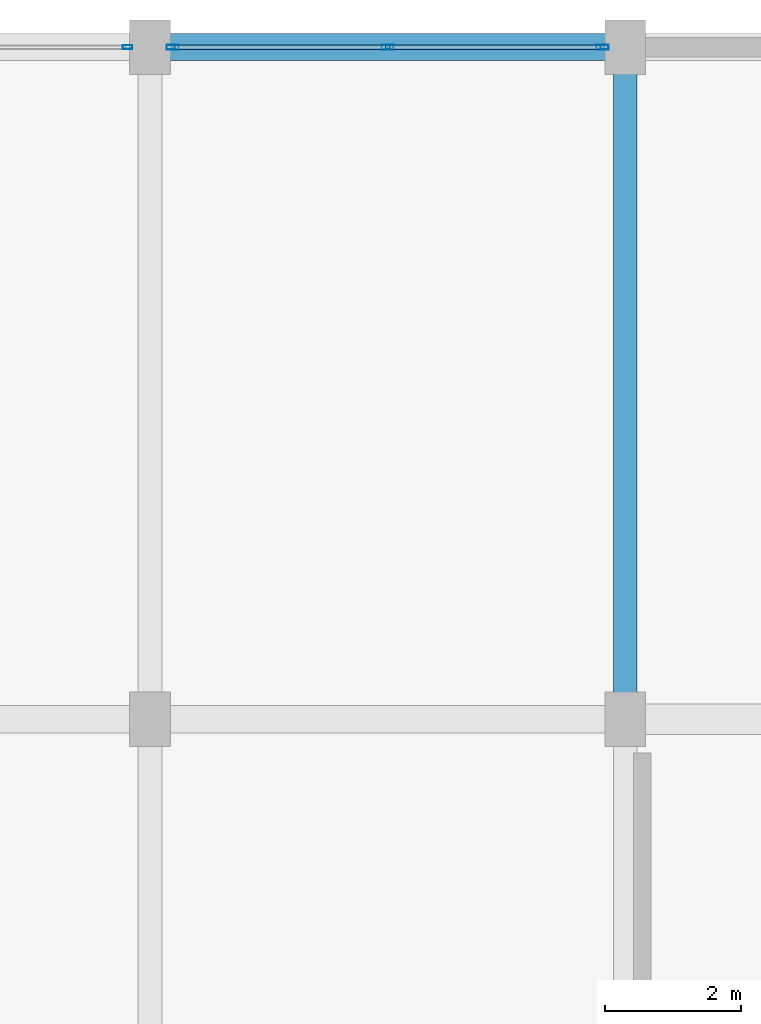
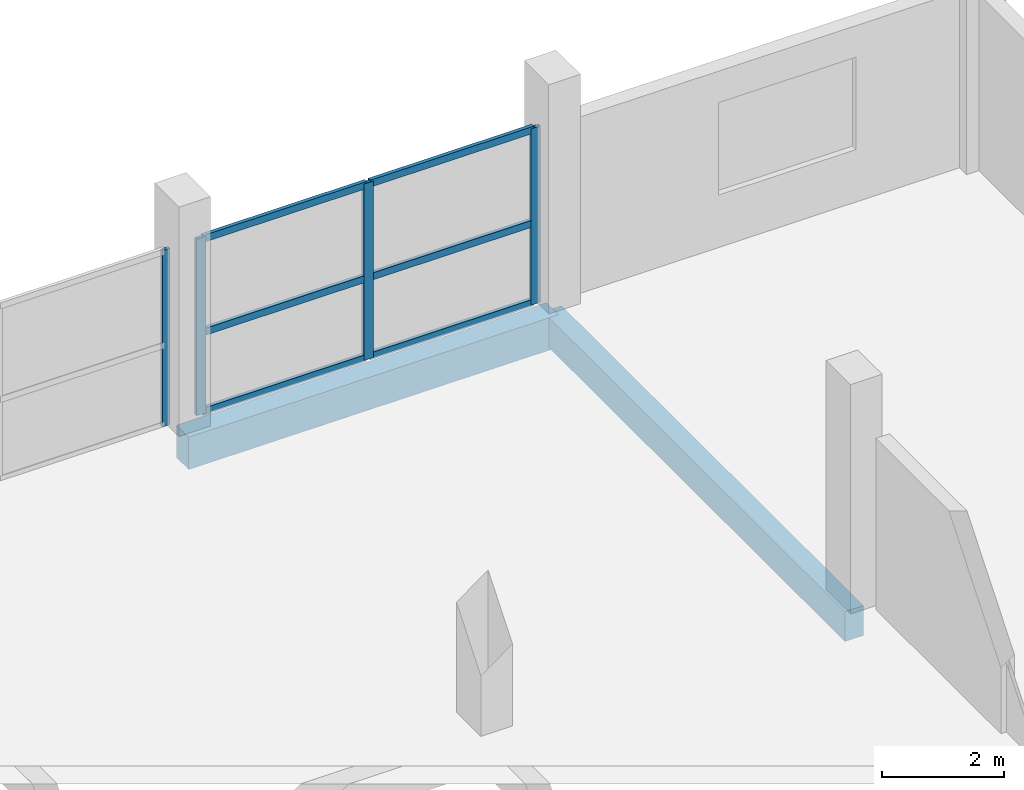
# One storey, part 33 of 55: 10 members, 2 beams, 2 elements without a shape of their own.
"""IFC4 building model written with IfcOpenShell, lengths in metres."""

from ifc_helpers import new_model, si_unit, direction, frame, origin, origin_2d, place, context, subcontext, project, spatial, rectangle, hollow_rectangle, extrude, material, layer, layer_set, material_profile, profile_set, type_object, element, aggregate, save


model = new_model("IFC4")

# Units and contexts
model_context = context("Model", 3, precision=1e-05, world=origin(), true_north=direction((0.0, 1.0)))
body_context = subcontext(model_context, "Body", "Model", "MODEL_VIEW")
ifc_project = project(units=[si_unit("LENGTHUNIT", "METRE"), si_unit("AREAUNIT", "SQUARE_METRE"), si_unit("VOLUMEUNIT", "CUBIC_METRE"), si_unit("PLANEANGLEUNIT", "RADIAN"), si_unit("MASSUNIT", "GRAM", prefix="KILO")], contexts=[model_context])

# Site, building, storey
site_placement = place(None, origin())
site = spatial("IfcSite", under=ifc_project, at=site_placement, CompositionType="ELEMENT")
building_placement = place(site_placement, origin())
building = spatial("IfcBuilding", under=site, at=building_placement, Name="Sillaruma Civic Art Gallery", CompositionType="ELEMENT")
storey_placement = place(building_placement, frame((0.0, 0.0, 37.739990234375)))
storey = spatial("IfcBuildingStorey", under=building, at=storey_placement, Name="L07", CompositionType="ELEMENT", Elevation=37.739990234375)

# Beams
ifc_material_1 = material(Name="Concrete H35 (35 MPa)", Category="concrete")
ifc_material_profile_1 = material_profile(ifc_material_1, rectangle(XDim=0.35009765625, YDim=0.60009765625, at=origin_2d()), Name="RCB350x600")
ifc_profile_set_1 = profile_set([ifc_material_profile_1], Name="Concrete H35 (35 MPa)")
beam_type_1 = type_object("IfcBeamType", Name="BM-BEAM-RCB350x600", PredefinedType="BEAM", material=ifc_profile_set_1)
beam_1_placement = place(storey_placement, frame((84.0, 89.10009765625, -0.5400390625), z_axis=(0.0, 1.0, 0.0), x_axis=(-1.0, 0.0, 0.0)))
element("IfcBeam", 1, at=beam_1_placement, inside=storey, type_object=beam_type_1, Name="Beam BM-06 (L06:J:10-11)", PredefinedType="BEAM", context=body_context, shape_type="SweptSolid", body=[
    extrude(rectangle(XDim=0.35009765625, YDim=0.60009765625, at=origin_2d()), origin(), (0.0, 0.0, 1.0), 9.89990234375),
])
ifc_material_profile_2 = material_profile(ifc_material_1, rectangle(XDim=0.39990234375, YDim=0.64990234375, at=origin_2d()), Name="RCB400x650")
ifc_profile_set_2 = profile_set([ifc_material_profile_2], Name="Concrete H35 (35 MPa)")
beam_type_2 = type_object("IfcBeamType", Name="BM-SPANDREL-RCB400x650", PredefinedType="SPANDREL", material=ifc_profile_set_2)
beam_2_placement = place(storey_placement, frame((77.0, 99.0, -0.56494140625), z_axis=(1.0, 0.0, 0.0), x_axis=(0.0, 1.0, 0.0)))
element("IfcBeam", 2, at=beam_2_placement, inside=storey, type_object=beam_type_2, Name="Beam BS-02 (L06:11:H-J)", PredefinedType="SPANDREL", context=body_context, shape_type="SweptSolid", body=[
    extrude(rectangle(XDim=0.39990234375, YDim=0.64990234375, at=origin_2d()), origin(), (0.0, 0.0, 1.0), 7.0),
])

# Curtain wall, member
ifc_material_2 = material(Name="Thermally Broken Extruded Aluminium 6063-T6", Category="aluminium")
ifc_layer_1 = layer(ifc_material_2, 0.139892578125, Name="Thermally Broken Extruded Aluminium 6063-T6")
ifc_layer_set_1 = layer_set([ifc_layer_1], Name="Thermally Broken Extruded Aluminium 6063-T6")
curtain_wall_type_1 = type_object("IfcCurtainWallType", Name="CW-UNI-50", PredefinedType="NOTDEFINED", material=ifc_layer_set_1)
curtain_wall_1_placement = place(storey_placement, origin())
curtain_wall_1 = element("IfcCurtainWall", 3, at=curtain_wall_1_placement, inside=storey, type_object=curtain_wall_type_1, Name="Unitised Curtain Wall CW-50 (CW-L07-N-2)", PredefinedType="NOTDEFINED")
ifc_material_profile_3 = material_profile(ifc_material_2, hollow_rectangle(XDim=0.06005859375, YDim=0.139892578125, WallThickness=0.00341796875, at=origin_2d()), Name="CWM60x140")
ifc_profile_set_3 = profile_set([ifc_material_profile_3], Name="Thermally Broken Extruded Aluminium 6063-T6")
member_type_1 = type_object("IfcMemberType", Name="MEM-MUL-CWM60x140", PredefinedType="MULLION", material=ifc_profile_set_3)
member_1_placement = place(storey_placement, frame((76.669921875, 99.0, 0.0), z_axis=(0.0, 0.0, 1.0), x_axis=(0.0, 1.0, 0.0)))
member_1 = element("IfcMember", 4, at=member_1_placement, type_object=member_type_1, Name="CW-50 mullion 3", PredefinedType="MULLION", context=body_context, shape_type="SweptSolid", body=[
    extrude(hollow_rectangle(XDim=0.06005859375, YDim=0.139892578125, WallThickness=0.00341796875, at=origin_2d()), origin(), (0.0, 0.0, 1.0), 3.530029296875),
])
aggregate(curtain_wall_1, [member_1])

# Curtain wall, members
ifc_layer_2 = layer(ifc_material_2, 0.179931640625, Name="Thermally Broken Extruded Aluminium 6063-T6")
ifc_layer_set_2 = layer_set([ifc_layer_2], Name="Thermally Broken Extruded Aluminium 6063-T6")
curtain_wall_type_2 = type_object("IfcCurtainWallType", Name="CW-UNI-51", PredefinedType="NOTDEFINED", material=ifc_layer_set_2)
curtain_wall_2_placement = place(storey_placement, origin())
curtain_wall_2 = element("IfcCurtainWall", 5, at=curtain_wall_2_placement, inside=storey, type_object=curtain_wall_type_2, Name="Unitised Curtain Wall CW-51 (CW-L07-N-3)", PredefinedType="NOTDEFINED")
ifc_material_profile_4 = material_profile(ifc_material_2, hollow_rectangle(XDim=0.070068359375, YDim=0.179931640625, WallThickness=0.00390625, at=origin_2d()), Name="CWM70x180")
ifc_profile_set_4 = profile_set([ifc_material_profile_4], Name="Thermally Broken Extruded Aluminium 6063-T6")
member_type_2 = type_object("IfcMemberType", Name="MEM-MUL-CWM70x180", PredefinedType="MULLION", material=ifc_profile_set_4)
member_2_placement = place(storey_placement, frame((77.3349609375, 99.0, 0.0), z_axis=(0.0, 0.0, 1.0), x_axis=(0.0, 1.0, 0.0)))
member_2 = element("IfcMember", 6, at=member_2_placement, type_object=member_type_2, Name="CW-51 mullion 1", PredefinedType="MULLION", context=body_context, shape_type="SweptSolid", body=[
    extrude(hollow_rectangle(XDim=0.070068359375, YDim=0.179931640625, WallThickness=0.00390625, at=origin_2d()), origin(), (0.0, 0.0, 1.0), 3.530029296875),
])
member_3_placement = place(storey_placement, frame((80.5, 99.0, 0.0), z_axis=(0.0, 0.0, 1.0), x_axis=(0.0, 1.0, 0.0)))
member_3 = element("IfcMember", 7, at=member_3_placement, type_object=member_type_2, Name="CW-51 mullion 2", PredefinedType="MULLION", context=body_context, shape_type="SweptSolid", body=[
    extrude(hollow_rectangle(XDim=0.070068359375, YDim=0.179931640625, WallThickness=0.00390625, at=origin_2d()), origin(), (0.0, 0.0, 1.0), 3.530029296875),
])
member_4_placement = place(storey_placement, frame((83.6650390625, 99.0, 0.0), z_axis=(0.0, 0.0, 1.0), x_axis=(0.0, 1.0, 0.0)))
member_4 = element("IfcMember", 8, at=member_4_placement, type_object=member_type_2, Name="CW-51 mullion 3", PredefinedType="MULLION", context=body_context, shape_type="SweptSolid", body=[
    extrude(hollow_rectangle(XDim=0.070068359375, YDim=0.179931640625, WallThickness=0.00390625, at=origin_2d()), origin(), (0.0, 0.0, 1.0), 3.530029296875),
])
ifc_material_profile_5 = material_profile(ifc_material_2, hollow_rectangle(XDim=0.070068359375, YDim=0.139892578125, WallThickness=0.00390625, at=origin_2d()), Name="CWT70x140")
ifc_profile_set_5 = profile_set([ifc_material_profile_5], Name="Thermally Broken Extruded Aluminium 6063-T6")
member_type_3 = type_object("IfcMemberType", Name="MEM-TRN-CWT70x140", PredefinedType="USERDEFINED", material=ifc_profile_set_5)
member_5_placement = place(storey_placement, frame((77.3701171875, 99.0, 0.034912109375), z_axis=(1.0, 0.0, 0.0), x_axis=(0.0, 1.0, 0.0)))
member_5 = element("IfcMember", 9, at=member_5_placement, type_object=member_type_3, Name="CW-51 transom 1.1", ObjectType="TRANSOM", PredefinedType="USERDEFINED", context=body_context, shape_type="SweptSolid", body=[
    extrude(hollow_rectangle(XDim=0.070068359375, YDim=0.139892578125, WallThickness=0.00390625, at=origin_2d()), origin(), (0.0, 0.0, 1.0), 3.094970703125),
])
member_6_placement = place(storey_placement, frame((77.3701171875, 99.0, 1.623779296875), z_axis=(1.0, 0.0, 0.0), x_axis=(0.0, 1.0, 0.0)))
member_6 = element("IfcMember", 10, at=member_6_placement, type_object=member_type_3, Name="CW-51 transom 1.2", ObjectType="TRANSOM", PredefinedType="USERDEFINED", context=body_context, shape_type="SweptSolid", body=[
    extrude(hollow_rectangle(XDim=0.070068359375, YDim=0.139892578125, WallThickness=0.00390625, at=origin_2d()), origin(), (0.0, 0.0, 1.0), 3.094970703125),
])
member_7_placement = place(storey_placement, frame((77.3701171875, 99.0, 3.4951171875), z_axis=(1.0, 0.0, 0.0), x_axis=(0.0, 1.0, 0.0)))
member_7 = element("IfcMember", 11, at=member_7_placement, type_object=member_type_3, Name="CW-51 transom 1.3", ObjectType="TRANSOM", PredefinedType="USERDEFINED", context=body_context, shape_type="SweptSolid", body=[
    extrude(hollow_rectangle(XDim=0.070068359375, YDim=0.139892578125, WallThickness=0.00390625, at=origin_2d()), origin(), (0.0, 0.0, 1.0), 3.094970703125),
])
member_8_placement = place(storey_placement, frame((80.534912109375, 99.0, 0.034912109375), z_axis=(1.0, 0.0, 0.0), x_axis=(0.0, 1.0, 0.0)))
member_8 = element("IfcMember", 12, at=member_8_placement, type_object=member_type_3, Name="CW-51 transom 2.1", ObjectType="TRANSOM", PredefinedType="USERDEFINED", context=body_context, shape_type="SweptSolid", body=[
    extrude(hollow_rectangle(XDim=0.070068359375, YDim=0.139892578125, WallThickness=0.00390625, at=origin_2d()), origin(), (0.0, 0.0, 1.0), 3.094970703125),
])
member_9_placement = place(storey_placement, frame((80.534912109375, 99.0, 1.623779296875), z_axis=(1.0, 0.0, 0.0), x_axis=(0.0, 1.0, 0.0)))
member_9 = element("IfcMember", 13, at=member_9_placement, type_object=member_type_3, Name="CW-51 transom 2.2", ObjectType="TRANSOM", PredefinedType="USERDEFINED", context=body_context, shape_type="SweptSolid", body=[
    extrude(hollow_rectangle(XDim=0.070068359375, YDim=0.139892578125, WallThickness=0.00390625, at=origin_2d()), origin(), (0.0, 0.0, 1.0), 3.094970703125),
])
member_10_placement = place(storey_placement, frame((80.534912109375, 99.0, 3.4951171875), z_axis=(1.0, 0.0, 0.0), x_axis=(0.0, 1.0, 0.0)))
member_10 = element("IfcMember", 14, at=member_10_placement, type_object=member_type_3, Name="CW-51 transom 2.3", ObjectType="TRANSOM", PredefinedType="USERDEFINED", context=body_context, shape_type="SweptSolid", body=[
    extrude(hollow_rectangle(XDim=0.070068359375, YDim=0.139892578125, WallThickness=0.00390625, at=origin_2d()), origin(), (0.0, 0.0, 1.0), 3.094970703125),
])
aggregate(curtain_wall_2, [member_2, member_3, member_4, member_5, member_6, member_7, member_8, member_9, member_10])

save(model, "model.ifc")
